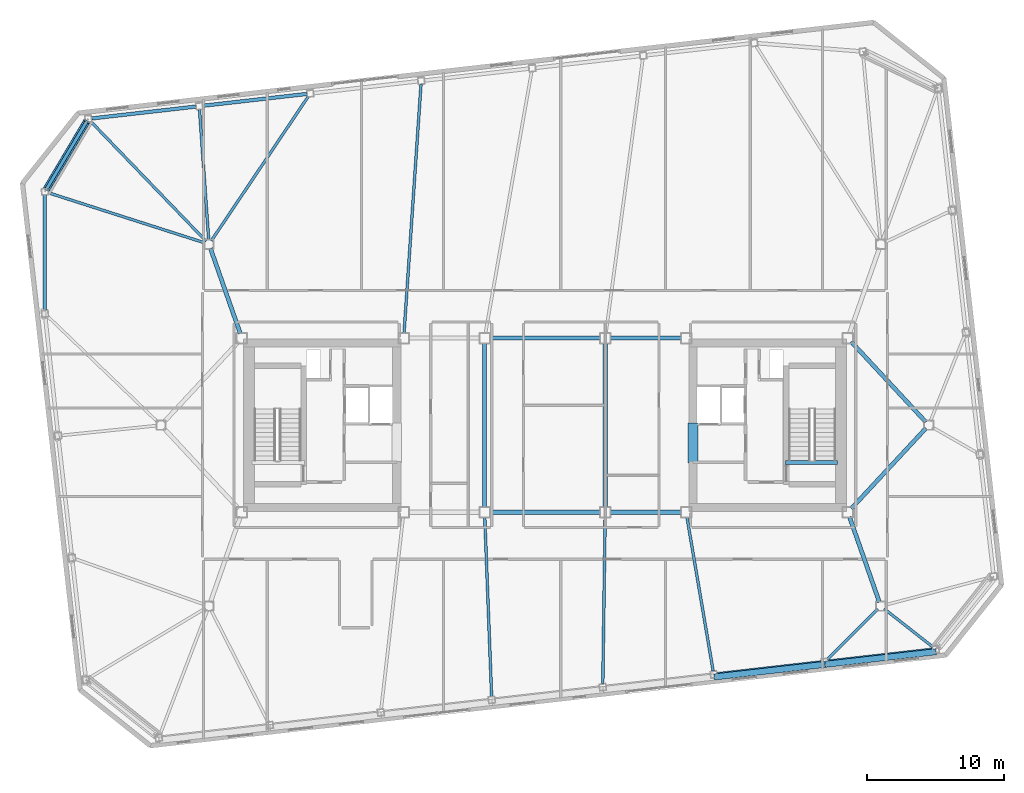
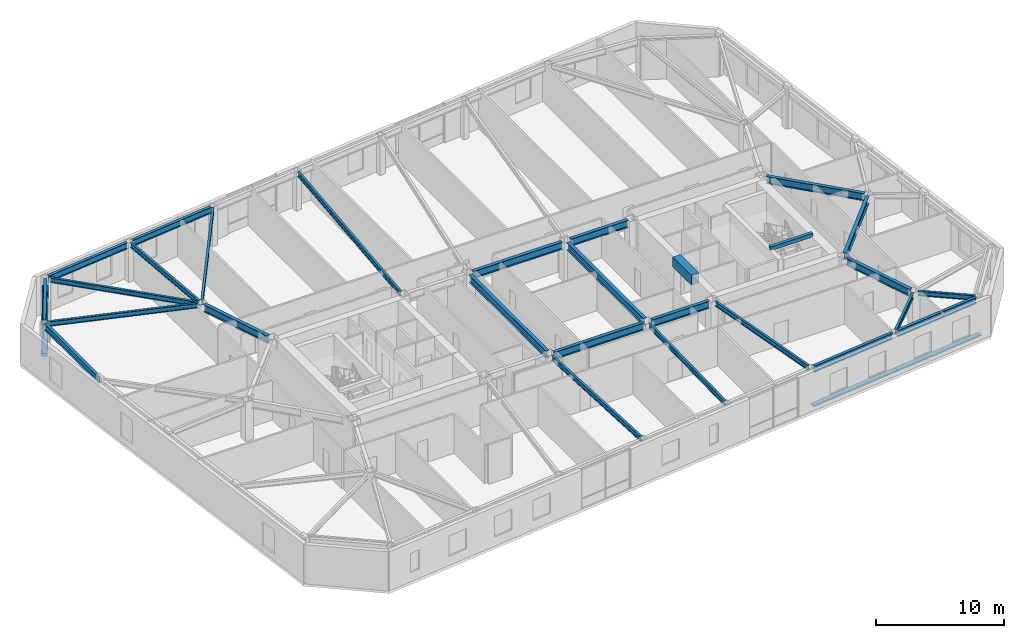
# One storey, part 7 of 19: 28 beams, 3 members.
"""IFC4 building model written with IfcOpenShell, lengths in metres."""

from ifc_helpers import new_model, si_unit, direction, frame, origin, origin_2d, place, context, subcontext, project, spatial, rectangle, hollow_circle, i_section, extrude, material, material_profile, profile_set, type_object, element, save


model = new_model("IFC4")

# Units and contexts
model_context = context("Model", 3, precision=1e-05, world=origin(), true_north=direction((0.0, 1.0)))
body_context = subcontext(model_context, "Body", "Model", "MODEL_VIEW")
ifc_project = project(units=[si_unit("LENGTHUNIT", "METRE"), si_unit("AREAUNIT", "SQUARE_METRE"), si_unit("VOLUMEUNIT", "CUBIC_METRE"), si_unit("PLANEANGLEUNIT", "RADIAN"), si_unit("MASSUNIT", "GRAM", prefix="KILO")], contexts=[model_context])

# Site, building, storey
site_placement = place(None, origin())
site = spatial("IfcSite", under=ifc_project, at=site_placement, CompositionType="ELEMENT")
building_placement = place(site_placement, origin())
building = spatial("IfcBuilding", under=site, at=building_placement, Name="Tavrogorsk Clinical Tower", CompositionType="ELEMENT")
storey_placement = place(building_placement, frame((0.0, 0.0, 263.0)))
storey = spatial("IfcBuildingStorey", under=building, at=storey_placement, Name="L61", CompositionType="ELEMENT", Elevation=263.0)

# Members
ifc_material_1 = material(Name="Anodised aluminium alloy AW-6063", Category="aluminium")
ifc_material_profile_1 = material_profile(ifc_material_1, rectangle(XDim=0.449951171875, YDim=0.1201171875, at=origin_2d()), Name="ALU-SUNSHADE-450x120")
ifc_profile_set_1 = profile_set([ifc_material_profile_1], Name="Anodised aluminium alloy AW-6063")
member_type_1 = type_object("IfcMemberType", Name="ChicagoSunshade_450x120", PredefinedType="USERDEFINED", material=ifc_profile_set_1)
for number, where, z_axis, x_axis, name in (
    (1, (12.336669921875, -18.369140625, 0.179931640625), (0.99356960656, 0.11322295227, 0.0), (-0.11322295227, 0.99356960656, 0.0), "L61 South Aluminium Sunshade S6"),
    (2, (20.432861328125, -17.446533203125, 0.179931640625), (0.9935729766, 0.113193375116, 0.0), (-0.113193375116, 0.9935729766, 0.0), "L61 South Aluminium Sunshade S7"),
):
    element("IfcMember", number, at=place(storey_placement, frame(where, z_axis=z_axis, x_axis=x_axis)), inside=storey, type_object=member_type_1, Name=name, ObjectType="SUNSHADE", PredefinedType="USERDEFINED", context=body_context, shape_type="SweptSolid", body=[
        extrude(rectangle(XDim=0.449951171875, YDim=0.1201171875, at=origin_2d()), origin(), (0.0, 0.0, 1.0), 8.148681640625),
    ])

# Beam
ifc_material_2 = material(Name="Concrete B80", Category="concrete")
ifc_material_profile_2 = material_profile(ifc_material_2, rectangle(XDim=0.699951171875, YDim=0.949951171875, at=origin_2d()), Name="RC-CB-700x950")
ifc_profile_set_2 = profile_set([ifc_material_profile_2], Name="Concrete B80")
beam_type_1 = type_object("IfcBeamType", Name="CouplingBeam_RC700x950", PredefinedType="LINTEL", material=ifc_profile_set_2)
beam_1_placement = place(storey_placement, frame((10.800048828125, -2.75, 3.264892578125), z_axis=(0.0, 1.0, 0.0), x_axis=(-1.0, 0.0, 0.0)))
element("IfcBeam", 3, at=beam_1_placement, inside=storey, type_object=beam_type_1, Name="L61 Core East Coupling Beam", PredefinedType="LINTEL", context=body_context, shape_type="SweptSolid", body=[
    extrude(rectangle(XDim=0.699951171875, YDim=0.949951171875, at=origin_2d()), origin(), (0.0, 0.0, 1.0), 2.89990234375),
])

# Member
ifc_material_3 = material(Name="Structural steel S440", Category="steel")
ifc_material_profile_3 = material_profile(ifc_material_3, hollow_circle(Radius=0.25390625, WallThickness=0.02001953125, at=origin_2d()), Name="CHS-508x20")
ifc_profile_set_3 = profile_set([ifc_material_profile_3], Name="Structural steel S440")
member_type_2 = type_object("IfcMemberType", Name="ExoBrace_CHS508", PredefinedType="BRACE", material=ifc_profile_set_3)
member_placement = place(storey_placement, frame((-36.349853515625, 17.23486328125, 0.40625), z_axis=(0.466115044739, 0.783286774864, 0.411337566228), x_axis=(-0.859354157364, 0.511380907173, 0.0)))
element("IfcMember", 4, at=member_placement, inside=storey, type_object=member_type_2, Name="L61 Corner Exoskeleton Brace N8-W1", PredefinedType="BRACE", context=body_context, shape_type="SweptSolid", body=[
    extrude(hollow_circle(Radius=0.25390625, WallThickness=0.02001953125, at=origin_2d()), origin(), (0.0, 0.0, 1.0), 6.266357421875),
])

# Beams
ifc_material_4 = material(Name="Structural steel S355", Category="steel")
ifc_material_profile_4 = material_profile(ifc_material_4, i_section(OverallWidth=0.199951171875, OverallDepth=0.449951171875, WebThickness=0.011474609375, FlangeThickness=0.01806640625, at=origin_2d()), Name="B-450x200x11.5x18")
ifc_profile_set_4 = profile_set([ifc_material_profile_4], Name="Structural steel S355")
beam_type_2 = type_object("IfcBeamType", Name="FloorBeam_B450", PredefinedType="BEAM", material=ifc_profile_set_4)
beam_2_placement = place(storey_placement, frame((-4.38623046875, -6.709716796875, 3.514892578125), z_axis=(0.038253158264, -0.999268080088, 0.0), x_axis=(0.999268080088, 0.038253158264, 0.0)))
element("IfcBeam", 5, at=beam_2_placement, inside=storey, type_object=beam_type_2, Name="L61 Radial Floor Beam S4", PredefinedType="BEAM", context=body_context, shape_type="SweptSolid", body=[
    extrude(i_section(OverallWidth=0.199951171875, OverallDepth=0.449951171875, WebThickness=0.011474609375, FlangeThickness=0.01806640625, at=origin_2d()), origin(), (0.0, 0.0, 1.0), 13.0771484375),
])
beam_3_placement = place(storey_placement, frame((4.39501953125, -6.7099609375, 3.514892578125), z_axis=(-0.014110566079, -0.999900441006, 0.0), x_axis=(0.999900441006, -0.014110566079, 0.0)))
element("IfcBeam", 6, at=beam_3_placement, inside=storey, type_object=beam_type_2, Name="L61 Radial Floor Beam S5", PredefinedType="BEAM", context=body_context, shape_type="SweptSolid", body=[
    extrude(i_section(OverallWidth=0.199951171875, OverallDepth=0.449951171875, WebThickness=0.011474609375, FlangeThickness=0.01806640625, at=origin_2d()), origin(), (0.0, 0.0, 1.0), 12.14599609375),
])
beam_4_placement = place(storey_placement, frame((10.3603515625, -6.704833984375, 3.514892578125), z_axis=(0.167876447446, -0.98580804338, 0.0), x_axis=(0.98580804338, 0.167876447446, 0.0)))
element("IfcBeam", 7, at=beam_4_placement, inside=storey, type_object=beam_type_2, Name="L61 Radial Floor Beam S6", PredefinedType="BEAM", context=body_context, shape_type="SweptSolid", body=[
    extrude(i_section(OverallWidth=0.199951171875, OverallDepth=0.449951171875, WebThickness=0.011474609375, FlangeThickness=0.01806640625, at=origin_2d()), origin(), (0.0, 0.0, 1.0), 11.392822265625),
])
beam_5_placement = place(storey_placement, frame((24.2802734375, -13.418701171875, 3.514892578125), z_axis=(-0.708842234901, -0.705367057652, 0.0), x_axis=(0.705367057652, -0.708842234901, 0.0)))
element("IfcBeam", 8, at=beam_5_placement, inside=storey, type_object=beam_type_2, Name="L61 Radial Floor Beam S7", PredefinedType="BEAM", context=body_context, shape_type="SweptSolid", body=[
    extrude(i_section(OverallWidth=0.199951171875, OverallDepth=0.449951171875, WebThickness=0.011474609375, FlangeThickness=0.01806640625, at=origin_2d()), origin(), (0.0, 0.0, 1.0), 5.19873046875),
])
beam_6_placement = place(storey_placement, frame((24.743896484375, -13.391357421875, 3.514892578125), z_axis=(0.786731711527, -0.617295078611, 0.0), x_axis=(0.617295078611, 0.786731711527, 0.0)))
element("IfcBeam", 9, at=beam_6_placement, inside=storey, type_object=beam_type_2, Name="L61 Radial Floor Beam S8", PredefinedType="BEAM", context=body_context, shape_type="SweptSolid", body=[
    extrude(i_section(OverallWidth=0.199951171875, OverallDepth=0.449951171875, WebThickness=0.011474609375, FlangeThickness=0.01806640625, at=origin_2d()), origin(), (0.0, 0.0, 1.0), 4.52734375),
])
beam_7_placement = place(storey_placement, frame((-10.275390625, 6.709228515625, 3.514892578125), z_axis=(0.068054861188, 0.9976815804, 0.0), x_axis=(-0.9976815804, 0.068054861188, 0.0)))
element("IfcBeam", 10, at=beam_7_placement, inside=storey, type_object=beam_type_2, Name="L61 Radial Floor Beam N5", PredefinedType="BEAM", context=body_context, shape_type="SweptSolid", body=[
    extrude(i_section(OverallWidth=0.199951171875, OverallDepth=0.449951171875, WebThickness=0.011474609375, FlangeThickness=0.01806640625, at=origin_2d()), origin(), (0.0, 0.0, 1.0), 18.188232421875),
])
beam_8_placement = place(storey_placement, frame((-24.3271484375, 13.457275390625, 3.514892578125), z_axis=(0.557666552953, 0.830065067159, 0.0), x_axis=(-0.830065067159, 0.557666552953, 0.0)))
element("IfcBeam", 11, at=beam_8_placement, inside=storey, type_object=beam_type_2, Name="L61 Radial Floor Beam N6", PredefinedType="BEAM", context=body_context, shape_type="SweptSolid", body=[
    extrude(i_section(OverallWidth=0.199951171875, OverallDepth=0.449951171875, WebThickness=0.011474609375, FlangeThickness=0.01806640625, at=origin_2d()), origin(), (0.0, 0.0, 1.0), 12.67236328125),
])
beam_9_placement = place(storey_placement, frame((-24.52197265625, 13.50927734375, 3.514892578125), z_axis=(-0.070563956086, 0.997507257167, 0.0), x_axis=(-0.997507257167, -0.070563956086, 0.0)))
element("IfcBeam", 12, at=beam_9_placement, inside=storey, type_object=beam_type_2, Name="L61 Radial Floor Beam N7", PredefinedType="BEAM", context=body_context, shape_type="SweptSolid", body=[
    extrude(i_section(OverallWidth=0.199951171875, OverallDepth=0.449951171875, WebThickness=0.011474609375, FlangeThickness=0.01806640625, at=origin_2d()), origin(), (0.0, 0.0, 1.0), 9.52490234375),
])
beam_10_placement = place(storey_placement, frame((-24.715087890625, 13.42333984375, 3.514892578125), z_axis=(-0.69371826835, 0.720246460704, 0.0), x_axis=(-0.720246460704, -0.69371826835, 0.0)))
element("IfcBeam", 13, at=beam_10_placement, inside=storey, type_object=beam_type_2, Name="L61 Radial Floor Beam N8", PredefinedType="BEAM", context=body_context, shape_type="SweptSolid", body=[
    extrude(i_section(OverallWidth=0.199951171875, OverallDepth=0.449951171875, WebThickness=0.011474609375, FlangeThickness=0.01806640625, at=origin_2d()), origin(), (0.0, 0.0, 1.0), 12.129638671875),
])
beam_11_placement = place(storey_placement, frame((-24.795166015625, 13.29443359375, 3.514892578125), z_axis=(-0.952367912824, 0.304951403709, 0.0), x_axis=(-0.304951403709, -0.952367912824, 0.0)))
element("IfcBeam", 14, at=beam_11_placement, inside=storey, type_object=beam_type_2, Name="L61 Radial Floor Beam W1", PredefinedType="BEAM", context=body_context, shape_type="SweptSolid", body=[
    extrude(i_section(OverallWidth=0.199951171875, OverallDepth=0.449951171875, WebThickness=0.011474609375, FlangeThickness=0.01806640625, at=origin_2d()), origin(), (0.0, 0.0, 1.0), 12.000732421875),
])
ifc_material_5 = material(Name="Structural steel S390", Category="steel")
ifc_material_profile_5 = material_profile(ifc_material_5, i_section(OverallWidth=0.300048828125, OverallDepth=0.699951171875, WebThickness=0.01708984375, FlangeThickness=0.028076171875, at=origin_2d()), Name="B-700x300x17x28")
ifc_profile_set_5 = profile_set([ifc_material_profile_5], Name="Structural steel S390")
beam_type_3 = type_object("IfcBeamType", Name="PrimaryGirder_B700", PredefinedType="USERDEFINED", material=ifc_profile_set_5)
for number, where, z_axis, x_axis, name in (
    (15, (-4.0400390625, -6.35009765625, 3.389892578125), (1.0, 0.0, 0.0), (0.0, 1.0, 0.0), "L61 Primary Spine Girder MG-03"),
    (16, (-4.0400390625, 6.35009765625, 3.389892578125), (1.0, 0.0, 0.0), (0.0, 1.0, 0.0), "L61 Primary Spine Girder MG-04"),
):
    element("IfcBeam", number, at=place(storey_placement, frame(where, z_axis=z_axis, x_axis=x_axis)), inside=storey, type_object=beam_type_3, Name=name, ObjectType="GIRDER", PredefinedType="USERDEFINED", context=body_context, shape_type="SweptSolid", body=[
        extrude(i_section(OverallWidth=0.300048828125, OverallDepth=0.699951171875, WebThickness=0.01708984375, FlangeThickness=0.028076171875, at=origin_2d()), origin(), (0.0, 0.0, 1.0), 8.080078125),
    ])
for number, where, z_axis, x_axis, name in (
    (17, (4.760009765625, -6.35009765625, 3.389892578125), (1.0, 0.0, 0.0), (0.0, 1.0, 0.0), "L61 Primary Spine Girder MG-05"),
    (18, (4.760009765625, 6.35009765625, 3.389892578125), (1.0, 0.0, 0.0), (0.0, 1.0, 0.0), "L61 Primary Spine Girder MG-06"),
):
    element("IfcBeam", number, at=place(storey_placement, frame(where, z_axis=z_axis, x_axis=x_axis)), inside=storey, type_object=beam_type_3, Name=name, ObjectType="GIRDER", PredefinedType="USERDEFINED", context=body_context, shape_type="SweptSolid", body=[
        extrude(i_section(OverallWidth=0.300048828125, OverallDepth=0.699951171875, WebThickness=0.01708984375, FlangeThickness=0.028076171875, at=origin_2d()), origin(), (0.0, 0.0, 1.0), 5.179931640625),
    ])
for number, where, z_axis, x_axis, name in (
    (19, (-4.39990234375, -5.989990234375, 3.389892578125), (0.0, 1.0, 0.0), (-1.0, 0.0, 0.0), "L61 Primary Spine Girder MG-07"),
    (20, (4.39990234375, -5.989990234375, 3.389892578125), (0.0, 1.0, 0.0), (-1.0, 0.0, 0.0), "L61 Primary Spine Girder MG-08"),
):
    element("IfcBeam", number, at=place(storey_placement, frame(where, z_axis=z_axis, x_axis=x_axis)), inside=storey, type_object=beam_type_3, Name=name, ObjectType="GIRDER", PredefinedType="USERDEFINED", context=body_context, shape_type="SweptSolid", body=[
        extrude(i_section(OverallWidth=0.300048828125, OverallDepth=0.699951171875, WebThickness=0.01708984375, FlangeThickness=0.028076171875, at=origin_2d()), origin(), (0.0, 0.0, 1.0), 11.97998046875),
    ])
for number, where, z_axis, x_axis, name in (
    (21, (24.3974609375, -12.907470703125, 3.389892578125), (-0.330654121425, 0.943752007672, 0.0), (-0.943752007672, -0.330654121425, 0.0), "L61 Spine Link Girder OPG-2"),
    (22, (-24.3974609375, 12.907470703125, 3.389892578125), (0.330654121425, -0.943752007672, 0.0), (0.943752007672, 0.330654121425, 0.0), "L61 Spine Link Girder OPG-3"),
):
    element("IfcBeam", number, at=place(storey_placement, frame(where, z_axis=z_axis, x_axis=x_axis)), inside=storey, type_object=beam_type_3, Name=name, ObjectType="GIRDER", PredefinedType="USERDEFINED", context=body_context, shape_type="SweptSolid", body=[
        extrude(i_section(OverallWidth=0.300048828125, OverallDepth=0.699951171875, WebThickness=0.01708984375, FlangeThickness=0.028076171875, at=origin_2d()), origin(), (0.0, 0.0, 1.0), 6.58837890625),
    ])
for number, where, z_axis, x_axis, name in (
    (23, (27.7890625, -0.22705078125, 3.389892578125), (-0.680684060959, -0.732577101168, 0.0), (0.732577101168, -0.680684060959, 0.0), "L61 Spine Link Girder OPG-7"),
    (24, (27.7890625, 0.22705078125, 3.389892578125), (-0.680684060959, 0.732577101168, 0.0), (-0.732577101168, -0.680684060959, 0.0), "L61 Spine Link Girder OPG-8"),
):
    element("IfcBeam", number, at=place(storey_placement, frame(where, z_axis=z_axis, x_axis=x_axis)), inside=storey, type_object=beam_type_3, Name=name, ObjectType="GIRDER", PredefinedType="USERDEFINED", context=body_context, shape_type="SweptSolid", body=[
        extrude(i_section(OverallWidth=0.300048828125, OverallDepth=0.699951171875, WebThickness=0.01708984375, FlangeThickness=0.028076171875, at=origin_2d()), origin(), (0.0, 0.0, 1.0), 7.998046875),
    ])
ifc_material_6 = material(Name="Structural steel S390", Category="steel")
ifc_material_profile_6 = material_profile(ifc_material_6, i_section(OverallWidth=0.260009765625, OverallDepth=0.60009765625, WebThickness=0.014892578125, FlangeThickness=0.02392578125, at=origin_2d()), Name="B-600x260x15x24")
ifc_profile_set_6 = profile_set([ifc_material_profile_6], Name="Structural steel S390")
beam_type_4 = type_object("IfcBeamType", Name="SpandrelBeam_B600", PredefinedType="SPANDREL", material=ifc_profile_set_6)
beam_12_placement = place(storey_placement, frame((12.57275390625, -18.1611328125, 3.43994140625), z_axis=(0.993571689921, 0.113204668576, 0.0), x_axis=(-0.113204668576, 0.993571689921, 0.0)))
element("IfcBeam", 25, at=beam_12_placement, inside=storey, type_object=beam_type_4, Name="L61 Perimeter Spandrel S6-S7", PredefinedType="SPANDREL", context=body_context, shape_type="SweptSolid", body=[
    extrude(i_section(OverallWidth=0.260009765625, OverallDepth=0.60009765625, WebThickness=0.014892578125, FlangeThickness=0.02392578125, at=origin_2d()), origin(), (0.0, 0.0, 1.0), 7.63232421875),
])
for number, where, z_axis, x_axis, name in (
    (26, (20.668701171875, -17.238525390625, 3.43994140625), (0.993572099834, 0.113201070804, 0.0), (-0.113201070804, 0.993572099834, 0.0), "L61 Perimeter Spandrel S7-S8"),
    (27, (-17.37255859375, 24.1611328125, 3.43994140625), (-0.993572099834, -0.113201070804, 0.0), (0.113201070804, -0.993572099834, 0.0), "L61 Perimeter Spandrel N6-N7"),
    (28, (-25.46875, 23.238525390625, 3.43994140625), (-0.993572099834, -0.113201070804, 0.0), (0.113201070804, -0.993572099834, 0.0), "L61 Perimeter Spandrel N7-N8"),
):
    element("IfcBeam", number, at=place(storey_placement, frame(where, z_axis=z_axis, x_axis=x_axis)), inside=storey, type_object=beam_type_4, Name=name, PredefinedType="SPANDREL", context=body_context, shape_type="SweptSolid", body=[
        extrude(i_section(OverallWidth=0.260009765625, OverallDepth=0.60009765625, WebThickness=0.014892578125, FlangeThickness=0.02392578125, at=origin_2d()), origin(), (0.0, 0.0, 1.0), 7.632568359375),
    ])
beam_13_placement = place(storey_placement, frame((-33.4404296875, 22.123779296875, 3.43994140625), z_axis=(-0.51140659222, -0.859338872293, 0.0), x_axis=(0.859338872293, -0.51140659222, 0.0)))
element("IfcBeam", 29, at=beam_13_placement, inside=storey, type_object=beam_type_4, Name="L61 Perimeter Spandrel N8-W1", PredefinedType="SPANDREL", context=body_context, shape_type="SweptSolid", body=[
    extrude(i_section(OverallWidth=0.260009765625, OverallDepth=0.60009765625, WebThickness=0.014892578125, FlangeThickness=0.02392578125, at=origin_2d()), origin(), (0.0, 0.0, 1.0), 5.666259765625),
])
beam_14_placement = place(storey_placement, frame((-36.469970703125, 16.77490234375, 3.43994140625), z_axis=(0.0, -1.0, 0.0), x_axis=(1.0, 0.0, 0.0)))
element("IfcBeam", 30, at=beam_14_placement, inside=storey, type_object=beam_type_4, Name="L61 Perimeter Spandrel W1-W2", PredefinedType="SPANDREL", context=body_context, shape_type="SweptSolid", body=[
    extrude(i_section(OverallWidth=0.260009765625, OverallDepth=0.60009765625, WebThickness=0.014892578125, FlangeThickness=0.02392578125, at=origin_2d()), origin(), (0.0, 0.0, 1.0), 8.386474609375),
])
ifc_material_7 = material(Name="Concrete B60", Category="concrete")
ifc_material_profile_7 = material_profile(ifc_material_7, rectangle(XDim=0.300048828125, YDim=0.35009765625, at=origin_2d()), Name="RC-SHB-300x350")
ifc_profile_set_7 = profile_set([ifc_material_profile_7], Name="Concrete B60")
beam_type_5 = type_object("IfcBeamType", Name="StairHeaderBeam_RC300x350", PredefinedType="BEAM", material=ifc_profile_set_7)
beam_15_placement = place(storey_placement, frame((17.550048828125, -2.719970703125, 3.824951171875), z_axis=(1.0, 0.0, 0.0), x_axis=(0.0, 1.0, 0.0)))
element("IfcBeam", 31, at=beam_15_placement, inside=storey, type_object=beam_type_5, Name="L62 ST-E Landing Header Beam", PredefinedType="BEAM", context=body_context, shape_type="SweptSolid", body=[
    extrude(rectangle(XDim=0.300048828125, YDim=0.35009765625, at=origin_2d()), origin(), (0.0, 0.0, 1.0), 3.800048828125),
])

save(model, "model.ifc")
